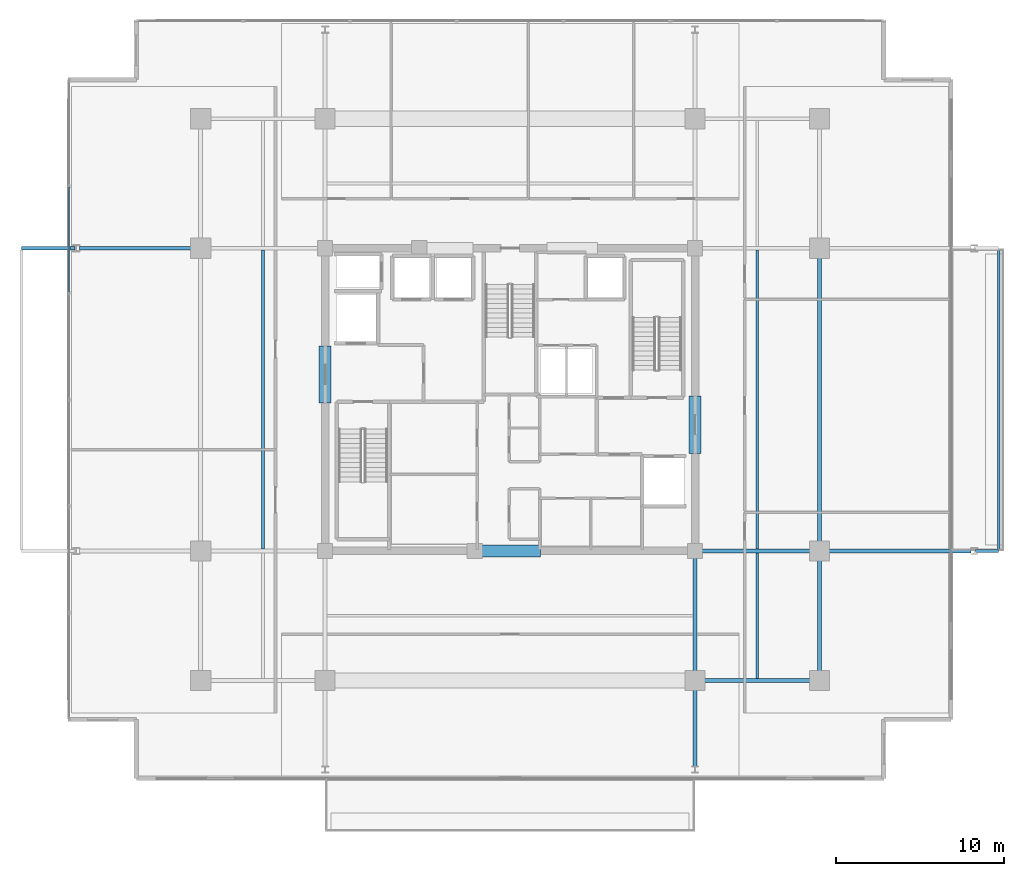
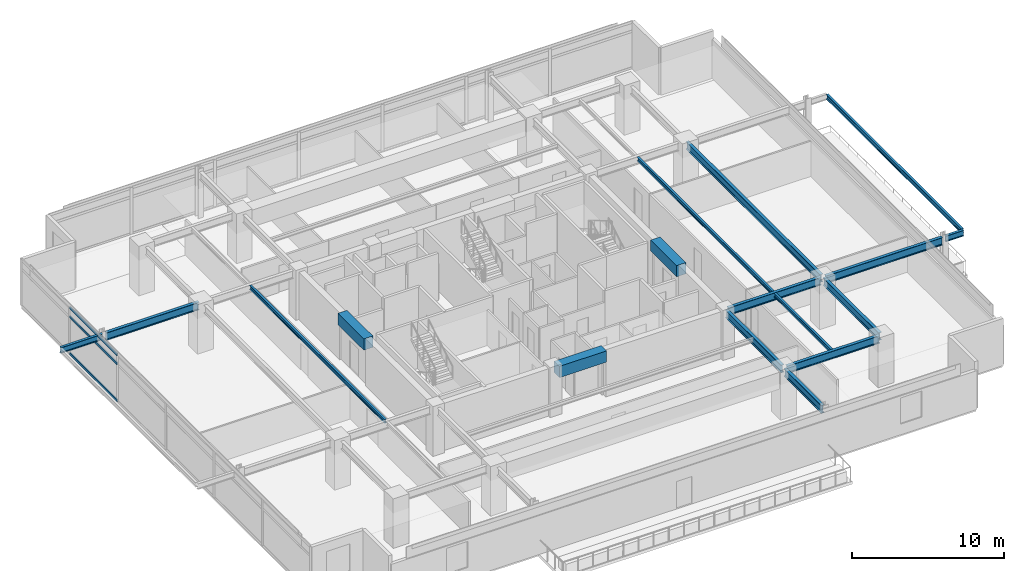
# One storey, part 6 of 23: 17 beams, 3 members, 1 element without a shape of its own.
"""IFC4 building model written with IfcOpenShell, lengths in metres."""

from ifc_helpers import new_model, si_unit, direction, frame, origin, origin_2d, place, context, subcontext, project, spatial, rectangle, hollow_rectangle, i_section, extrude, material, material_profile, profile_set, type_object, element, aggregate, save


model = new_model("IFC4")

# Units and contexts
model_context = context("Model", 3, precision=1e-05, world=origin(), true_north=direction((0.0, 1.0)))
body_context = subcontext(model_context, "Body", "Model", "MODEL_VIEW")
ifc_project = project(units=[si_unit("LENGTHUNIT", "METRE"), si_unit("AREAUNIT", "SQUARE_METRE"), si_unit("VOLUMEUNIT", "CUBIC_METRE"), si_unit("PLANEANGLEUNIT", "RADIAN"), si_unit("MASSUNIT", "GRAM", prefix="KILO")], contexts=[model_context])

# Site, building, storey
site_placement = place(None, origin())
site = spatial("IfcSite", under=ifc_project, at=site_placement, CompositionType="ELEMENT")
building_placement = place(site_placement, origin())
building = spatial("IfcBuilding", under=site, at=building_placement, Name="Kovane Verandah Tower", CompositionType="ELEMENT")
storey_placement = place(building_placement, frame((0.0, 0.0, 267.199951171875)))
storey = spatial("IfcBuildingStorey", under=building, at=storey_placement, Name="L62", CompositionType="ELEMENT", Elevation=267.199951171875)

# Beams
ifc_material_1 = material(Name="Concrete C60/75", Category="concrete")
ifc_material_profile_1 = material_profile(ifc_material_1, rectangle(XDim=0.699951171875, YDim=0.89990234375, at=origin_2d()), Name="RCB700x900")
ifc_profile_set_1 = profile_set([ifc_material_profile_1], Name="Concrete C60/75")
beam_type_1 = type_object("IfcBeamType", Name="BM-LINTEL-700x900", PredefinedType="LINTEL", material=ifc_profile_set_1)
beam_1_placement = place(storey_placement, frame((38.199951171875, 18.5, 3.3349609375), z_axis=(1.0, 0.0, 0.0), x_axis=(0.0, 1.0, 0.0)))
element("IfcBeam", 1, at=beam_1_placement, inside=storey, type_object=beam_type_1, Name="L62 Core Coupling Lintel CL-S", PredefinedType="LINTEL", context=body_context, shape_type="SweptSolid", body=[
    extrude(rectangle(XDim=0.699951171875, YDim=0.89990234375, at=origin_2d()), origin(), (0.0, 0.0, 1.0), 3.60009765625),
])
for number, where, z_axis, x_axis, name in (
    (2, (29.0, 27.300048828125, 3.3349609375), (0.0, 1.0, 0.0), (-1.0, 0.0, 0.0), "L62 Core Coupling Lintel CL-W"),
    (3, (51.0, 24.300048828125, 3.3349609375), (0.0, 1.0, 0.0), (-1.0, 0.0, 0.0), "L62 Core Coupling Lintel CL-E"),
):
    element("IfcBeam", number, at=place(storey_placement, frame(where, z_axis=z_axis, x_axis=x_axis)), inside=storey, type_object=beam_type_1, Name=name, PredefinedType="LINTEL", context=body_context, shape_type="SweptSolid", body=[
        extrude(rectangle(XDim=0.699951171875, YDim=0.89990234375, at=origin_2d()), origin(), (0.0, 0.0, 1.0), 3.39990234375),
    ])
ifc_material_2 = material(Name="Steel S355", Category="steel")
ifc_material_profile_2 = material_profile(ifc_material_2, i_section(OverallWidth=0.230224609375, OverallDepth=0.6171875, WebThickness=0.01318359375, FlangeThickness=0.022216796875, FilletRadius=0.0126953125, at=origin_2d()), Name="UB610x229x140")
ifc_profile_set_2 = profile_set([ifc_material_profile_2], Name="Steel S355")
beam_type_2 = type_object("IfcBeamType", Name="BM-UB610x140", PredefinedType="BEAM", material=ifc_profile_set_2)
beam_2_placement = place(storey_placement, frame((51.179931640625, 10.800048828125, 3.4765625), z_axis=(1.0, 0.0, 0.0), x_axis=(0.0, 1.0, 0.0)))
element("IfcBeam", 4, at=beam_2_placement, inside=storey, type_object=beam_type_2, Name="L62 Primary Tower Girder G-RS3", PredefinedType="BEAM", context=body_context, shape_type="SweptSolid", body=[
    extrude(i_section(OverallWidth=0.230224609375, OverallDepth=0.6171875, WebThickness=0.01318359375, FlangeThickness=0.022216796875, FilletRadius=0.0126953125, at=origin_2d()), origin(), (0.0, 0.0, 1.0), 7.0400390625),
])
beam_3_placement = place(storey_placement, frame((58.39990234375, 10.97998046875, 3.4765625), z_axis=(0.0, 1.0, 0.0), x_axis=(-1.0, 0.0, 0.0)))
element("IfcBeam", 5, at=beam_3_placement, inside=storey, type_object=beam_type_2, Name="L62 Primary Tower Girder G-RE1", PredefinedType="BEAM", context=body_context, shape_type="SweptSolid", body=[
    extrude(i_section(OverallWidth=0.230224609375, OverallDepth=0.6171875, WebThickness=0.01318359375, FlangeThickness=0.022216796875, FilletRadius=0.0126953125, at=origin_2d()), origin(), (0.0, 0.0, 1.0), 7.340087890625),
])
beam_4_placement = place(storey_placement, frame((58.39990234375, 18.679931640625, 3.4765625), z_axis=(0.0, 1.0, 0.0), x_axis=(-1.0, 0.0, 0.0)))
element("IfcBeam", 6, at=beam_4_placement, inside=storey, type_object=beam_type_2, Name="L62 Primary Tower Girder G-RE2", PredefinedType="BEAM", context=body_context, shape_type="SweptSolid", body=[
    extrude(i_section(OverallWidth=0.230224609375, OverallDepth=0.6171875, WebThickness=0.01318359375, FlangeThickness=0.022216796875, FilletRadius=0.0126953125, at=origin_2d()), origin(), (0.0, 0.0, 1.0), 17.64013671875),
])
beam_5_placement = place(storey_placement, frame((51.179931640625, 18.5, 3.4765625), z_axis=(1.0, 0.0, 0.0), x_axis=(0.0, 1.0, 0.0)))
element("IfcBeam", 7, at=beam_5_placement, inside=storey, type_object=beam_type_2, Name="L62 Primary Tower Girder G-E1", PredefinedType="BEAM", context=body_context, shape_type="SweptSolid", body=[
    extrude(i_section(OverallWidth=0.230224609375, OverallDepth=0.6171875, WebThickness=0.01318359375, FlangeThickness=0.022216796875, FilletRadius=0.0126953125, at=origin_2d()), origin(), (0.0, 0.0, 1.0), 7.0400390625),
])
beam_6_placement = place(storey_placement, frame((51.0, 18.320068359375, 3.4765625), z_axis=(0.0, -1.0, 0.0), x_axis=(1.0, 0.0, 0.0)))
element("IfcBeam", 8, at=beam_6_placement, inside=storey, type_object=beam_type_2, Name="L62 Primary Tower Girder G-S2", PredefinedType="BEAM", context=body_context, shape_type="SweptSolid", body=[
    extrude(i_section(OverallWidth=0.230224609375, OverallDepth=0.6171875, WebThickness=0.01318359375, FlangeThickness=0.022216796875, FilletRadius=0.0126953125, at=origin_2d()), origin(), (0.0, 0.0, 1.0), 7.340087890625),
])
beam_7_placement = place(storey_placement, frame((21.419921875, 36.5, 3.451416015625), z_axis=(-1.0, 0.0, 0.0), x_axis=(0.0, -1.0, 0.0)))
element("IfcBeam", 9, at=beam_7_placement, inside=storey, type_object=beam_type_2, Name="L62 Primary Tower Girder G-VW2", PredefinedType="BEAM", context=body_context, shape_type="SweptSolid", body=[
    extrude(i_section(OverallWidth=0.230224609375, OverallDepth=0.6171875, WebThickness=0.01318359375, FlangeThickness=0.022216796875, FilletRadius=0.0126953125, at=origin_2d()), origin(), (0.0, 0.0, 1.0), 7.0400390625),
])
beam_8_placement = place(storey_placement, frame((58.580078125, 18.5, 3.451416015625), z_axis=(1.0, 0.0, 0.0), x_axis=(0.0, 1.0, 0.0)))
element("IfcBeam", 10, at=beam_8_placement, inside=storey, type_object=beam_type_2, Name="L62 Primary Tower Girder G-VE1", PredefinedType="BEAM", context=body_context, shape_type="SweptSolid", body=[
    extrude(i_section(OverallWidth=0.230224609375, OverallDepth=0.6171875, WebThickness=0.01318359375, FlangeThickness=0.022216796875, FilletRadius=0.0126953125, at=origin_2d()), origin(), (0.0, 0.0, 1.0), 8.83984375),
])
beam_9_placement = place(storey_placement, frame((51.0, 10.6201171875, 3.451416015625), z_axis=(0.0, -1.0, 0.0), x_axis=(1.0, 0.0, 0.0)))
element("IfcBeam", 11, at=beam_9_placement, inside=storey, type_object=beam_type_2, Name="L62 Primary Tower Girder G-VS2", PredefinedType="BEAM", context=body_context, shape_type="SweptSolid", body=[
    extrude(i_section(OverallWidth=0.230224609375, OverallDepth=0.6171875, WebThickness=0.01318359375, FlangeThickness=0.022216796875, FilletRadius=0.0126953125, at=origin_2d()), origin(), (0.0, 0.0, 1.0), 4.940185546875),
])

# Curtain wall, members
ifc_material_3 = material(Name="Champagne Anodised Aluminium Frame with Low-E Clear Laminated Glass", Category="aluminium")
curtain_wall_type = type_object("IfcCurtainWallType", Name="CW-SYS-05-HIGH", PredefinedType="NOTDEFINED", material=ifc_material_3)
curtain_wall_placement = place(storey_placement, origin())
curtain_wall = element("IfcCurtainWall", 12, at=curtain_wall_placement, inside=storey, type_object=curtain_wall_type, Name="L62 W Unitised Curtain Wall", PredefinedType="NOTDEFINED")
ifc_material_4 = material(Name="Champagne Anodised Aluminium 6063-T6", Category="aluminium")
ifc_material_profile_3 = material_profile(ifc_material_4, hollow_rectangle(XDim=0.0849609375, YDim=0.18994140625, WallThickness=0.00390625, at=origin_2d()), Name="AL85x190x4")
ifc_profile_set_3 = profile_set([ifc_material_profile_3], Name="Champagne Anodised Aluminium 6063-T6")
member_type = type_object("IfcMemberType", Name="CW-TRN-85x190", PredefinedType="USERDEFINED", material=ifc_profile_set_3)
member_1_placement = place(storey_placement, frame((13.779296875, 40.13232421875, 0.050048828125), z_axis=(0.0, -1.0, 0.0), x_axis=(1.0, 0.0, 0.0)))
member_1 = element("IfcMember", 13, at=member_1_placement, type_object=member_type, Name="L62 W Unitised Curtain Wall Transom TB Bay 2", ObjectType="TRANSOM", PredefinedType="USERDEFINED", context=body_context, shape_type="SweptSolid", body=[
    extrude(hollow_rectangle(XDim=0.0849609375, YDim=0.18994140625, WallThickness=0.00390625, at=origin_2d()), origin(), (0.0, 0.0, 1.0), 6.2412109375),
])
member_2_placement = place(storey_placement, frame((13.779296875, 40.13232421875, 3.005126953125), z_axis=(0.0, -1.0, 0.0), x_axis=(1.0, 0.0, 0.0)))
member_2 = element("IfcMember", 14, at=member_2_placement, type_object=member_type, Name="L62 W Unitised Curtain Wall Transom TM Bay 2", ObjectType="TRANSOM", PredefinedType="USERDEFINED", context=body_context, shape_type="SweptSolid", body=[
    extrude(hollow_rectangle(XDim=0.0849609375, YDim=0.18994140625, WallThickness=0.00390625, at=origin_2d()), origin(), (0.0, 0.0, 1.0), 6.2412109375),
])
member_3_placement = place(storey_placement, frame((13.779296875, 40.13232421875, 3.735107421875), z_axis=(0.0, -1.0, 0.0), x_axis=(1.0, 0.0, 0.0)))
member_3 = element("IfcMember", 15, at=member_3_placement, type_object=member_type, Name="L62 W Unitised Curtain Wall Transom TT Bay 2", ObjectType="TRANSOM", PredefinedType="USERDEFINED", context=body_context, shape_type="SweptSolid", body=[
    extrude(hollow_rectangle(XDim=0.0849609375, YDim=0.18994140625, WallThickness=0.00390625, at=origin_2d()), origin(), (0.0, 0.0, 1.0), 6.2412109375),
])
aggregate(curtain_wall, [member_1, member_2, member_3])

# Beams
ifc_material_profile_4 = material_profile(ifc_material_2, i_section(OverallWidth=0.1669921875, OverallDepth=0.310302734375, WebThickness=0.0078125, FlangeThickness=0.013671875, FilletRadius=0.0087890625, at=origin_2d()), Name="UB305x165x54")
ifc_profile_set_4 = profile_set([ifc_material_profile_4], Name="Steel S355")
beam_type_3 = type_object("IfcBeamType", Name="JST-UB305x54", PredefinedType="JOIST", material=ifc_profile_set_4)
for number, where, z_axis, x_axis, name in (
    (16, (25.300048828125, 18.613037109375, 3.6298828125), (0.0, 1.0, 0.0), (-1.0, 0.0, 0.0), "L62 Secondary Composite Joist J-W1"),
    (17, (54.699951171875, 18.613037109375, 3.6298828125), (0.0, 1.0, 0.0), (-1.0, 0.0, 0.0), "L62 Secondary Composite Joist J-E1"),
):
    element("IfcBeam", number, at=place(storey_placement, frame(where, z_axis=z_axis, x_axis=x_axis)), inside=storey, type_object=beam_type_3, Name=name, PredefinedType="JOIST", context=body_context, shape_type="SweptSolid", body=[
        extrude(i_section(OverallWidth=0.1669921875, OverallDepth=0.310302734375, WebThickness=0.0078125, FlangeThickness=0.013671875, FilletRadius=0.0087890625, at=origin_2d()), origin(), (0.0, 0.0, 1.0), 17.77392578125),
    ])
beam_10_placement = place(storey_placement, frame((54.699951171875, 10.9130859375, 3.6298828125), z_axis=(0.0, 1.0, 0.0), x_axis=(-1.0, 0.0, 0.0)))
element("IfcBeam", 18, at=beam_10_placement, inside=storey, type_object=beam_type_3, Name="L62 Secondary Composite Joist J-SE1", PredefinedType="JOIST", context=body_context, shape_type="SweptSolid", body=[
    extrude(i_section(OverallWidth=0.1669921875, OverallDepth=0.310302734375, WebThickness=0.0078125, FlangeThickness=0.013671875, FilletRadius=0.0087890625, at=origin_2d()), origin(), (0.0, 0.0, 1.0), 7.473876953125),
])
ifc_material_profile_5 = material_profile(ifc_material_2, i_section(OverallWidth=0.19287109375, OverallDepth=0.46728515625, WebThickness=0.011474609375, FlangeThickness=0.01953125, FilletRadius=0.01025390625, at=origin_2d()), Name="UB457x191x98")
ifc_profile_set_5 = profile_set([ifc_material_profile_5], Name="Steel S355")
beam_type_4 = type_object("IfcBeamType", Name="JST-UB457x98", PredefinedType="JOIST", material=ifc_profile_set_5)
beam_11_placement = place(storey_placement, frame((67.679931640625, 18.5, 3.5263671875), z_axis=(1.0, 0.0, 0.0), x_axis=(0.0, 1.0, 0.0)))
element("IfcBeam", 19, at=beam_11_placement, inside=storey, type_object=beam_type_4, Name="L62 East Planter Girder 1", PredefinedType="JOIST", context=body_context, shape_type="SweptSolid", body=[
    extrude(i_section(OverallWidth=0.19287109375, OverallDepth=0.46728515625, WebThickness=0.011474609375, FlangeThickness=0.01953125, FilletRadius=0.01025390625, at=origin_2d()), origin(), (0.0, 0.0, 1.0), 1.377197265625),
])
beam_12_placement = place(storey_placement, frame((14.1201171875, 36.5, 3.5263671875), z_axis=(-1.0, 0.0, 0.0), x_axis=(0.0, -1.0, 0.0)))
element("IfcBeam", 20, at=beam_12_placement, inside=storey, type_object=beam_type_4, Name="L62 West Planter Girder 2", PredefinedType="JOIST", context=body_context, shape_type="SweptSolid", body=[
    extrude(i_section(OverallWidth=0.19287109375, OverallDepth=0.46728515625, WebThickness=0.011474609375, FlangeThickness=0.01953125, FilletRadius=0.01025390625, at=origin_2d()), origin(), (0.0, 0.0, 1.0), 3.17724609375),
])
ifc_material_profile_6 = material_profile(ifc_material_2, i_section(OverallWidth=0.173095703125, OverallDepth=0.36328125, WebThickness=0.009033203125, FlangeThickness=0.015625, FilletRadius=0.01025390625, at=origin_2d()), Name="UB356x171x67")
ifc_profile_set_6 = profile_set([ifc_material_profile_6], Name="Steel S355")
beam_type_5 = type_object("IfcBeamType", Name="SPD-UB356x67", PredefinedType="USERDEFINED", material=ifc_profile_set_6)
beam_13_placement = place(storey_placement, frame((69.05712890625, 18.594482421875, 3.578369140625), z_axis=(0.0, 1.0, 0.0), x_axis=(-1.0, 0.0, 0.0)))
element("IfcBeam", 21, at=beam_13_placement, inside=storey, type_object=beam_type_5, Name="L62 East Planter Edge Spandrel", ObjectType="SPANDREL", PredefinedType="USERDEFINED", context=body_context, shape_type="SweptSolid", body=[
    extrude(i_section(OverallWidth=0.173095703125, OverallDepth=0.36328125, WebThickness=0.009033203125, FlangeThickness=0.015625, FilletRadius=0.01025390625, at=origin_2d()), origin(), (0.0, 0.0, 1.0), 17.81103515625),
])

save(model, "model.ifc")
